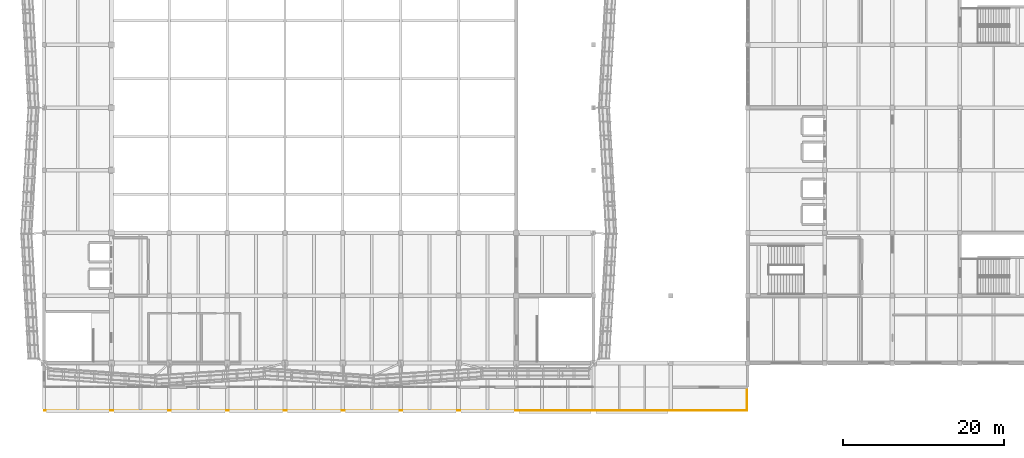
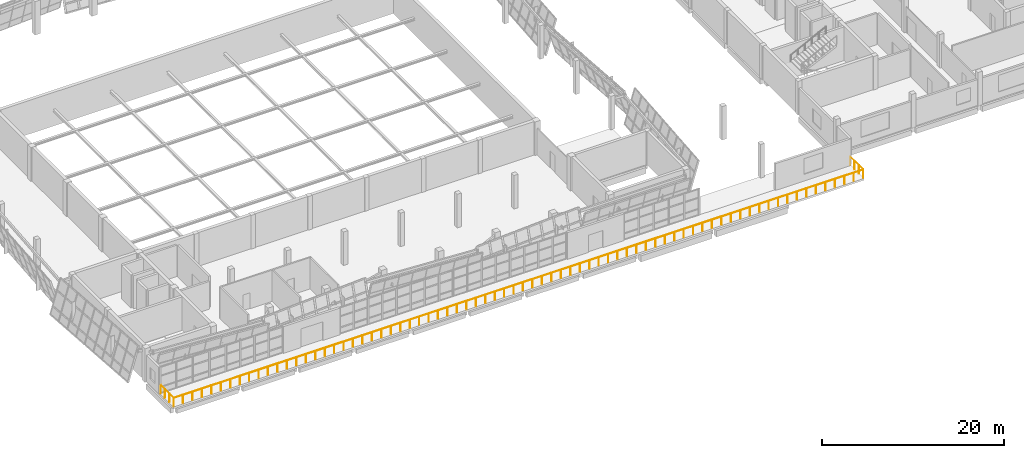
# One storey, part 60 of 67: 1 railing.
"""IFC4 building model written with IfcOpenShell, lengths in metres."""

from ifc_helpers import new_model, si_unit, direction, frame, origin, origin_2d, place, context, subcontext, project, spatial, circle, extrude, material, type_object, element, save


model = new_model("IFC4")

# Units and contexts
model_context = context("Model", 3, precision=1e-05, world=origin(), true_north=direction((0.0, 1.0)))
body_context = subcontext(model_context, "Body", "Model", "MODEL_VIEW")
ifc_project = project(units=[si_unit("LENGTHUNIT", "METRE"), si_unit("AREAUNIT", "SQUARE_METRE"), si_unit("VOLUMEUNIT", "CUBIC_METRE"), si_unit("PLANEANGLEUNIT", "RADIAN"), si_unit("MASSUNIT", "GRAM", prefix="KILO")], contexts=[model_context])

# Site, building, storey
site_placement = place(None, origin())
site = spatial("IfcSite", under=ifc_project, at=site_placement, CompositionType="ELEMENT")
building_placement = place(site_placement, origin())
building = spatial("IfcBuilding", under=site, at=building_placement, Name="Pellamere Symphony Hall", CompositionType="ELEMENT")
storey_placement = place(building_placement, frame((0.0, 0.0, 19.5)))
storey = spatial("IfcBuildingStorey", under=building, at=storey_placement, Name="L04", CompositionType="ELEMENT", Elevation=19.5)

# Railing
ifc_material = material(Name="Laminated Safety Glass 21.5mm with Stainless Cap", Category="glass")
railing_type = type_object("IfcRailingType", Name="Guardrail GR-03 H1180 Laminated", PredefinedType="GUARDRAIL", material=ifc_material)
railing_placement = place(storey_placement, frame((50.47998046875, 26.919921875, 0.0)))
element("IfcRailing", 1, at=railing_placement, inside=storey, type_object=railing_type, Name="Safety Guardrail GR-TER-L04-V4", PredefinedType="GUARDRAIL", context=body_context, shape_type="SweptSolid", body=[
    extrude(circle(Radius=0.02392578125, at=origin_2d()), frame((0.0, 0.0, 1.15576171875), z_axis=(0.0, -1.0, 0.0), x_axis=(1.0, 0.0, 0.0)), (0.0, 0.0, 1.0), 2.83984375),
    extrude(circle(Radius=0.02392578125, at=origin_2d()), frame((0.0, -2.83984375, 1.15576171875), z_axis=(1.0, 0.0, 0.0), x_axis=(0.0, 1.0, 0.0)), (0.0, 0.0, 1.0), 87.43994140625),
    extrude(circle(Radius=0.02392578125, at=origin_2d()), frame((87.43994140625, -2.83984375, 1.15576171875), z_axis=(0.0, 1.0, 0.0), x_axis=(-1.0, 0.0, 0.0)), (0.0, 0.0, 1.0), 2.83984375),
    extrude(circle(Radius=0.02099609375, at=origin_2d()), origin(), (0.0, 0.0, 1.0), 1.1318359375),
    extrude(circle(Radius=0.02099609375, at=origin_2d()), frame((0.0, -0.946533203125, 0.0)), (0.0, 0.0, 1.0), 1.1318359375),
    extrude(circle(Radius=0.02099609375, at=origin_2d()), frame((0.0, -1.893310546875, 0.0)), (0.0, 0.0, 1.0), 1.1318359375),
    extrude(circle(Radius=0.02099609375, at=origin_2d()), frame((0.0, -2.83984375, 0.0)), (0.0, 0.0, 1.0), 1.1318359375),
    extrude(circle(Radius=0.02099609375, at=origin_2d()), frame((1.19775390625, -2.83984375, 0.0)), (0.0, 0.0, 1.0), 1.1318359375),
    extrude(circle(Radius=0.02099609375, at=origin_2d()), frame((2.3955078125, -2.83984375, 0.0)), (0.0, 0.0, 1.0), 1.1318359375),
    extrude(circle(Radius=0.02099609375, at=origin_2d()), frame((3.593505859375, -2.83984375, 0.0)), (0.0, 0.0, 1.0), 1.1318359375),
    extrude(circle(Radius=0.02099609375, at=origin_2d()), frame((4.791259765625, -2.83984375, 0.0)), (0.0, 0.0, 1.0), 1.1318359375),
    extrude(circle(Radius=0.02099609375, at=origin_2d()), frame((5.989013671875, -2.83984375, 0.0)), (0.0, 0.0, 1.0), 1.1318359375),
    extrude(circle(Radius=0.02099609375, at=origin_2d()), frame((7.186767578125, -2.83984375, 0.0)), (0.0, 0.0, 1.0), 1.1318359375),
    extrude(circle(Radius=0.02099609375, at=origin_2d()), frame((8.384765625, -2.83984375, 0.0)), (0.0, 0.0, 1.0), 1.1318359375),
    extrude(circle(Radius=0.02099609375, at=origin_2d()), frame((9.58251953125, -2.83984375, 0.0)), (0.0, 0.0, 1.0), 1.1318359375),
    extrude(circle(Radius=0.02099609375, at=origin_2d()), frame((10.7802734375, -2.83984375, 0.0)), (0.0, 0.0, 1.0), 1.1318359375),
    extrude(circle(Radius=0.02099609375, at=origin_2d()), frame((11.97802734375, -2.83984375, 0.0)), (0.0, 0.0, 1.0), 1.1318359375),
    extrude(circle(Radius=0.02099609375, at=origin_2d()), frame((13.17578125, -2.83984375, 0.0)), (0.0, 0.0, 1.0), 1.1318359375),
    extrude(circle(Radius=0.02099609375, at=origin_2d()), frame((14.373779296875, -2.83984375, 0.0)), (0.0, 0.0, 1.0), 1.1318359375),
    extrude(circle(Radius=0.02099609375, at=origin_2d()), frame((15.571533203125, -2.83984375, 0.0)), (0.0, 0.0, 1.0), 1.1318359375),
    extrude(circle(Radius=0.02099609375, at=origin_2d()), frame((16.769287109375, -2.83984375, 0.0)), (0.0, 0.0, 1.0), 1.1318359375),
    extrude(circle(Radius=0.02099609375, at=origin_2d()), frame((17.967041015625, -2.83984375, 0.0)), (0.0, 0.0, 1.0), 1.1318359375),
    extrude(circle(Radius=0.02099609375, at=origin_2d()), frame((19.1650390625, -2.83984375, 0.0)), (0.0, 0.0, 1.0), 1.1318359375),
    extrude(circle(Radius=0.02099609375, at=origin_2d()), frame((20.36279296875, -2.83984375, 0.0)), (0.0, 0.0, 1.0), 1.1318359375),
    extrude(circle(Radius=0.02099609375, at=origin_2d()), frame((21.560546875, -2.83984375, 0.0)), (0.0, 0.0, 1.0), 1.1318359375),
    extrude(circle(Radius=0.02099609375, at=origin_2d()), frame((22.75830078125, -2.83984375, 0.0)), (0.0, 0.0, 1.0), 1.1318359375),
    extrude(circle(Radius=0.02099609375, at=origin_2d()), frame((23.9560546875, -2.83984375, 0.0)), (0.0, 0.0, 1.0), 1.1318359375),
    extrude(circle(Radius=0.02099609375, at=origin_2d()), frame((25.154052734375, -2.83984375, 0.0)), (0.0, 0.0, 1.0), 1.1318359375),
    extrude(circle(Radius=0.02099609375, at=origin_2d()), frame((26.351806640625, -2.83984375, 0.0)), (0.0, 0.0, 1.0), 1.1318359375),
    extrude(circle(Radius=0.02099609375, at=origin_2d()), frame((27.549560546875, -2.83984375, 0.0)), (0.0, 0.0, 1.0), 1.1318359375),
    extrude(circle(Radius=0.02099609375, at=origin_2d()), frame((28.747314453125, -2.83984375, 0.0)), (0.0, 0.0, 1.0), 1.1318359375),
    extrude(circle(Radius=0.02099609375, at=origin_2d()), frame((29.945068359375, -2.83984375, 0.0)), (0.0, 0.0, 1.0), 1.1318359375),
    extrude(circle(Radius=0.02099609375, at=origin_2d()), frame((31.14306640625, -2.83984375, 0.0)), (0.0, 0.0, 1.0), 1.1318359375),
    extrude(circle(Radius=0.02099609375, at=origin_2d()), frame((32.3408203125, -2.83984375, 0.0)), (0.0, 0.0, 1.0), 1.1318359375),
    extrude(circle(Radius=0.02099609375, at=origin_2d()), frame((33.53857421875, -2.83984375, 0.0)), (0.0, 0.0, 1.0), 1.1318359375),
    extrude(circle(Radius=0.02099609375, at=origin_2d()), frame((34.736328125, -2.83984375, 0.0)), (0.0, 0.0, 1.0), 1.1318359375),
    extrude(circle(Radius=0.02099609375, at=origin_2d()), frame((35.934326171875, -2.83984375, 0.0)), (0.0, 0.0, 1.0), 1.1318359375),
    extrude(circle(Radius=0.02099609375, at=origin_2d()), frame((37.132080078125, -2.83984375, 0.0)), (0.0, 0.0, 1.0), 1.1318359375),
    extrude(circle(Radius=0.02099609375, at=origin_2d()), frame((38.329833984375, -2.83984375, 0.0)), (0.0, 0.0, 1.0), 1.1318359375),
    extrude(circle(Radius=0.02099609375, at=origin_2d()), frame((39.527587890625, -2.83984375, 0.0)), (0.0, 0.0, 1.0), 1.1318359375),
    extrude(circle(Radius=0.02099609375, at=origin_2d()), frame((40.725341796875, -2.83984375, 0.0)), (0.0, 0.0, 1.0), 1.1318359375),
    extrude(circle(Radius=0.02099609375, at=origin_2d()), frame((41.92333984375, -2.83984375, 0.0)), (0.0, 0.0, 1.0), 1.1318359375),
    extrude(circle(Radius=0.02099609375, at=origin_2d()), frame((43.12109375, -2.83984375, 0.0)), (0.0, 0.0, 1.0), 1.1318359375),
    extrude(circle(Radius=0.02099609375, at=origin_2d()), frame((44.31884765625, -2.83984375, 0.0)), (0.0, 0.0, 1.0), 1.1318359375),
    extrude(circle(Radius=0.02099609375, at=origin_2d()), frame((45.5166015625, -2.83984375, 0.0)), (0.0, 0.0, 1.0), 1.1318359375),
    extrude(circle(Radius=0.02099609375, at=origin_2d()), frame((46.714599609375, -2.83984375, 0.0)), (0.0, 0.0, 1.0), 1.1318359375),
    extrude(circle(Radius=0.02099609375, at=origin_2d()), frame((47.912353515625, -2.83984375, 0.0)), (0.0, 0.0, 1.0), 1.1318359375),
    extrude(circle(Radius=0.02099609375, at=origin_2d()), frame((49.110107421875, -2.83984375, 0.0)), (0.0, 0.0, 1.0), 1.1318359375),
    extrude(circle(Radius=0.02099609375, at=origin_2d()), frame((50.307861328125, -2.83984375, 0.0)), (0.0, 0.0, 1.0), 1.1318359375),
    extrude(circle(Radius=0.02099609375, at=origin_2d()), frame((51.505615234375, -2.83984375, 0.0)), (0.0, 0.0, 1.0), 1.1318359375),
    extrude(circle(Radius=0.02099609375, at=origin_2d()), frame((52.70361328125, -2.83984375, 0.0)), (0.0, 0.0, 1.0), 1.1318359375),
    extrude(circle(Radius=0.02099609375, at=origin_2d()), frame((53.9013671875, -2.83984375, 0.0)), (0.0, 0.0, 1.0), 1.1318359375),
    extrude(circle(Radius=0.02099609375, at=origin_2d()), frame((55.09912109375, -2.83984375, 0.0)), (0.0, 0.0, 1.0), 1.1318359375),
    extrude(circle(Radius=0.02099609375, at=origin_2d()), frame((56.296875, -2.83984375, 0.0)), (0.0, 0.0, 1.0), 1.1318359375),
    extrude(circle(Radius=0.02099609375, at=origin_2d()), frame((57.494873046875, -2.83984375, 0.0)), (0.0, 0.0, 1.0), 1.1318359375),
    extrude(circle(Radius=0.02099609375, at=origin_2d()), frame((58.692626953125, -2.83984375, 0.0)), (0.0, 0.0, 1.0), 1.1318359375),
    extrude(circle(Radius=0.02099609375, at=origin_2d()), frame((59.890380859375, -2.83984375, 0.0)), (0.0, 0.0, 1.0), 1.1318359375),
    extrude(circle(Radius=0.02099609375, at=origin_2d()), frame((61.088134765625, -2.83984375, 0.0)), (0.0, 0.0, 1.0), 1.1318359375),
    extrude(circle(Radius=0.02099609375, at=origin_2d()), frame((62.285888671875, -2.83984375, 0.0)), (0.0, 0.0, 1.0), 1.1318359375),
    extrude(circle(Radius=0.02099609375, at=origin_2d()), frame((63.48388671875, -2.83984375, 0.0)), (0.0, 0.0, 1.0), 1.1318359375),
    extrude(circle(Radius=0.02099609375, at=origin_2d()), frame((64.681640625, -2.83984375, 0.0)), (0.0, 0.0, 1.0), 1.1318359375),
    extrude(circle(Radius=0.02099609375, at=origin_2d()), frame((65.87939453125, -2.83984375, 0.0)), (0.0, 0.0, 1.0), 1.1318359375),
    extrude(circle(Radius=0.02099609375, at=origin_2d()), frame((67.0771484375, -2.83984375, 0.0)), (0.0, 0.0, 1.0), 1.1318359375),
    extrude(circle(Radius=0.02099609375, at=origin_2d()), frame((68.27490234375, -2.83984375, 0.0)), (0.0, 0.0, 1.0), 1.1318359375),
    extrude(circle(Radius=0.02099609375, at=origin_2d()), frame((69.472900390625, -2.83984375, 0.0)), (0.0, 0.0, 1.0), 1.1318359375),
    extrude(circle(Radius=0.02099609375, at=origin_2d()), frame((70.670654296875, -2.83984375, 0.0)), (0.0, 0.0, 1.0), 1.1318359375),
    extrude(circle(Radius=0.02099609375, at=origin_2d()), frame((71.868408203125, -2.83984375, 0.0)), (0.0, 0.0, 1.0), 1.1318359375),
    extrude(circle(Radius=0.02099609375, at=origin_2d()), frame((73.066162109375, -2.83984375, 0.0)), (0.0, 0.0, 1.0), 1.1318359375),
    extrude(circle(Radius=0.02099609375, at=origin_2d()), frame((74.26416015625, -2.83984375, 0.0)), (0.0, 0.0, 1.0), 1.1318359375),
    extrude(circle(Radius=0.02099609375, at=origin_2d()), frame((75.4619140625, -2.83984375, 0.0)), (0.0, 0.0, 1.0), 1.1318359375),
    extrude(circle(Radius=0.02099609375, at=origin_2d()), frame((76.65966796875, -2.83984375, 0.0)), (0.0, 0.0, 1.0), 1.1318359375),
    extrude(circle(Radius=0.02099609375, at=origin_2d()), frame((77.857421875, -2.83984375, 0.0)), (0.0, 0.0, 1.0), 1.1318359375),
    extrude(circle(Radius=0.02099609375, at=origin_2d()), frame((79.05517578125, -2.83984375, 0.0)), (0.0, 0.0, 1.0), 1.1318359375),
    extrude(circle(Radius=0.02099609375, at=origin_2d()), frame((80.253173828125, -2.83984375, 0.0)), (0.0, 0.0, 1.0), 1.1318359375),
    extrude(circle(Radius=0.02099609375, at=origin_2d()), frame((81.450927734375, -2.83984375, 0.0)), (0.0, 0.0, 1.0), 1.1318359375),
    extrude(circle(Radius=0.02099609375, at=origin_2d()), frame((82.648681640625, -2.83984375, 0.0)), (0.0, 0.0, 1.0), 1.1318359375),
    extrude(circle(Radius=0.02099609375, at=origin_2d()), frame((83.846435546875, -2.83984375, 0.0)), (0.0, 0.0, 1.0), 1.1318359375),
    extrude(circle(Radius=0.02099609375, at=origin_2d()), frame((85.04443359375, -2.83984375, 0.0)), (0.0, 0.0, 1.0), 1.1318359375),
    extrude(circle(Radius=0.02099609375, at=origin_2d()), frame((86.2421875, -2.83984375, 0.0)), (0.0, 0.0, 1.0), 1.1318359375),
    extrude(circle(Radius=0.02099609375, at=origin_2d()), frame((87.43994140625, -2.83984375, 0.0)), (0.0, 0.0, 1.0), 1.1318359375),
    extrude(circle(Radius=0.02099609375, at=origin_2d()), frame((87.43994140625, -1.893310546875, 0.0)), (0.0, 0.0, 1.0), 1.1318359375),
    extrude(circle(Radius=0.02099609375, at=origin_2d()), frame((87.43994140625, -0.946533203125, 0.0)), (0.0, 0.0, 1.0), 1.1318359375),
    extrude(circle(Radius=0.02099609375, at=origin_2d()), frame((87.43994140625, 0.0, 0.0)), (0.0, 0.0, 1.0), 1.1318359375),
])

save(model, "model.ifc")
